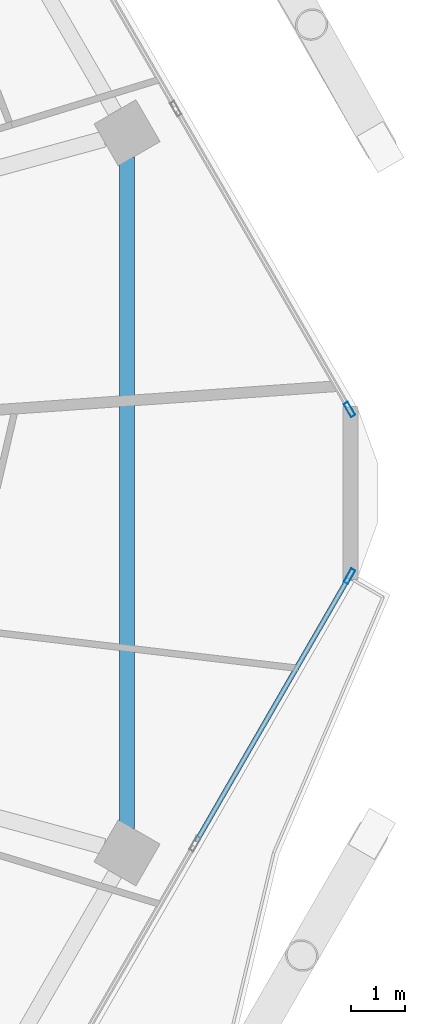
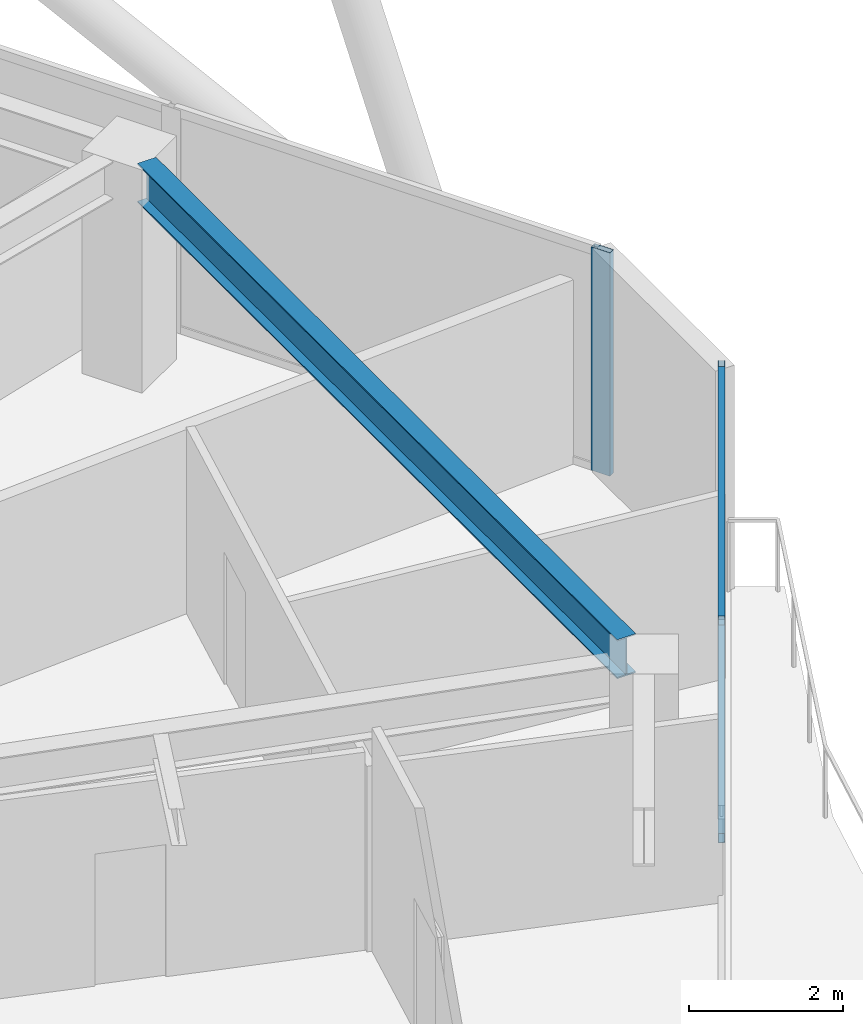
# One storey, part 11 of 29: 4 members, 1 beam, 2 elements without a shape of their own.
"""IFC4 building model written with IfcOpenShell, lengths in metres."""

from ifc_helpers import new_model, si_unit, direction, frame, origin, origin_2d, place, context, subcontext, project, spatial, hollow_rectangle, i_section, extrude, material, material_profile, profile_set, type_object, element, aggregate, save


model = new_model("IFC4")

# Units and contexts
model_context = context("Model", 3, precision=1e-05, world=origin(), true_north=direction((0.0, 1.0)))
body_context = subcontext(model_context, "Body", "Model", "MODEL_VIEW")
ifc_project = project(units=[si_unit("LENGTHUNIT", "METRE"), si_unit("AREAUNIT", "SQUARE_METRE"), si_unit("VOLUMEUNIT", "CUBIC_METRE"), si_unit("PLANEANGLEUNIT", "RADIAN"), si_unit("MASSUNIT", "GRAM", prefix="KILO")], contexts=[model_context])

# Site, building, storey
site_placement = place(None, origin())
site = spatial("IfcSite", under=ifc_project, at=site_placement, CompositionType="ELEMENT")
building_placement = place(site_placement, origin())
building = spatial("IfcBuilding", under=site, at=building_placement, Name="Zuhravey Tower", CompositionType="ELEMENT")
storey_placement = place(building_placement, frame((0.0, 0.0, 246.39990234375)))
storey = spatial("IfcBuildingStorey", under=building, at=storey_placement, Name="L62", CompositionType="ELEMENT", Elevation=246.39990234375)

# Curtain wall, member
ifc_material_1 = material(Name="Thermally broken anodised aluminium", Category="aluminium")
curtain_wall_type = type_object("IfcCurtainWallType", Name="Zone 3-4 High-Rise Curtain Wall CW4", PredefinedType="NOTDEFINED", material=ifc_material_1)
curtain_wall_1_placement = place(storey_placement, origin())
curtain_wall_1 = element("IfcCurtainWall", 1, at=curtain_wall_1_placement, inside=storey, type_object=curtain_wall_type, Name="L62 CW4 CW-L62-F6-1", PredefinedType="NOTDEFINED")
ifc_material_2 = material(Name="Anodised aluminium", Category="aluminium")
ifc_material_profile_1 = material_profile(ifc_material_2, hollow_rectangle(XDim=0.090087890625, YDim=0.284912109375, WallThickness=0.0048828125, at=origin_2d()), Name="ALU-RHS-90x285x5")
ifc_profile_set_1 = profile_set([ifc_material_profile_1], Name="Anodised aluminium")
member_type_1 = type_object("IfcMemberType", Name="Curtain-Wall Mullion 90x180", PredefinedType="MULLION", material=ifc_profile_set_1)
member_1_placement = place(storey_placement, frame((64.62255859375, 30.448486328125, 0.0), z_axis=(0.0, 0.0, 1.0), x_axis=(0.866025913193, -0.499999117677, 0.0)))
member_1 = element("IfcMember", 2, at=member_1_placement, type_object=member_type_1, Name="CW4 mullion 1", PredefinedType="MULLION", context=body_context, shape_type="SweptSolid", body=[
    extrude(hollow_rectangle(XDim=0.090087890625, YDim=0.284912109375, WallThickness=0.0048828125, at=origin_2d()), origin(), (0.0, 0.0, 1.0), 3.550048828125),
])

curtain_wall_2_placement = place(storey_placement, origin())
curtain_wall_2 = element("IfcCurtainWall", 3, at=curtain_wall_2_placement, inside=storey, type_object=curtain_wall_type, Name="L62 CW4 CW-L62-F1-1", PredefinedType="NOTDEFINED")
member_2_placement = place(storey_placement, frame((64.62255859375, 33.551513671875, 0.0), z_axis=(0.0, 0.0, 1.0), x_axis=(0.866024851021, 0.500000957414, 0.0)))
member_2 = element("IfcMember", 4, at=member_2_placement, type_object=member_type_1, Name="CW4 mullion 5", PredefinedType="MULLION", context=body_context, shape_type="SweptSolid", body=[
    extrude(hollow_rectangle(XDim=0.090087890625, YDim=0.284912109375, WallThickness=0.0048828125, at=origin_2d()), origin(), (0.0, 0.0, 1.0), 3.550048828125),
])
aggregate(curtain_wall_2, [member_2])

# Member
ifc_material_profile_2 = material_profile(ifc_material_2, hollow_rectangle(XDim=0.090087890625, YDim=0.14990234375, WallThickness=0.0048828125, at=origin_2d()), Name="ALU-RHS-90x150x5")
ifc_profile_set_2 = profile_set([ifc_material_profile_2], Name="Anodised aluminium")
member_type_2 = type_object("IfcMemberType", Name="Curtain-Wall Transom 90x150", PredefinedType="USERDEFINED", material=ifc_profile_set_2)
member_3_placement = place(storey_placement, frame((64.60009765625, 30.40966796875, 0.045166015625), z_axis=(-0.499996423147, -0.866027468871, 0.0), x_axis=(0.866027468871, -0.499996423147, 0.0)))
member_3 = element("IfcMember", 5, at=member_3_placement, type_object=member_type_2, Name="CW4 transom 1.1", ObjectType="TRANSOM", PredefinedType="USERDEFINED", context=body_context, shape_type="SweptSolid", body=[
    extrude(hollow_rectangle(XDim=0.090087890625, YDim=0.14990234375, WallThickness=0.0048828125, at=origin_2d()), origin(), (0.0, 0.0, 1.0), 5.65673828125),
])

member_4_placement = place(storey_placement, frame((64.60009765625, 30.40966796875, 3.505126953125), z_axis=(-0.499996423147, -0.866027468871, 0.0), x_axis=(0.866027468871, -0.499996423147, 0.0)))
member_4 = element("IfcMember", 6, at=member_4_placement, type_object=member_type_2, Name="CW4 transom 1.2", ObjectType="TRANSOM", PredefinedType="USERDEFINED", context=body_context, shape_type="SweptSolid", body=[
    extrude(hollow_rectangle(XDim=0.090087890625, YDim=0.14990234375, WallThickness=0.0048828125, at=origin_2d()), origin(), (0.0, 0.0, 1.0), 5.65673828125),
])

aggregate(curtain_wall_1, [member_1, member_3, member_4])

# Beam
ifc_material_3 = material(Name="Steel SM355", Category="steel")
ifc_material_profile_3 = material_profile(ifc_material_3, i_section(OverallWidth=0.280029296875, OverallDepth=0.6201171875, WebThickness=0.011962890625, FlangeThickness=0.02001953125, at=origin_2d()), Name="H-620x280x12x20")
ifc_profile_set_3 = profile_set([ifc_material_profile_3], Name="Steel SM355")
beam_type = type_object("IfcBeamType", Name="Perimeter Ring Beam H620x280", PredefinedType="BEAM", material=ifc_profile_set_3)
beam_placement = place(storey_placement, frame((60.484619140625, 25.754150390625, 3.239990234375), z_axis=(0.0, 1.0, 0.0), x_axis=(-1.0, 0.0, 0.0)))
element("IfcBeam", 7, at=beam_placement, inside=storey, type_object=beam_type, Name="L62 PB3 BM-L62-PB-12", PredefinedType="BEAM", context=body_context, shape_type="SweptSolid", body=[
    extrude(i_section(OverallWidth=0.280029296875, OverallDepth=0.6201171875, WebThickness=0.011962890625, FlangeThickness=0.02001953125, at=origin_2d()), origin(), (0.0, 0.0, 1.0), 12.49169921875),
])

save(model, "model.ifc")
